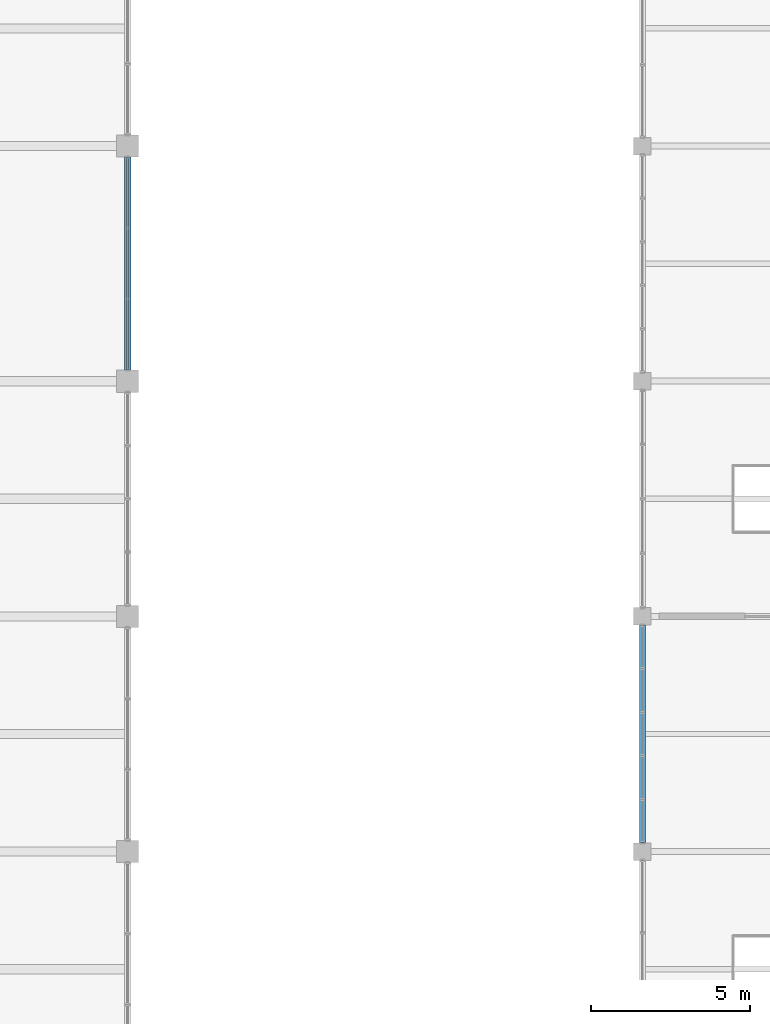
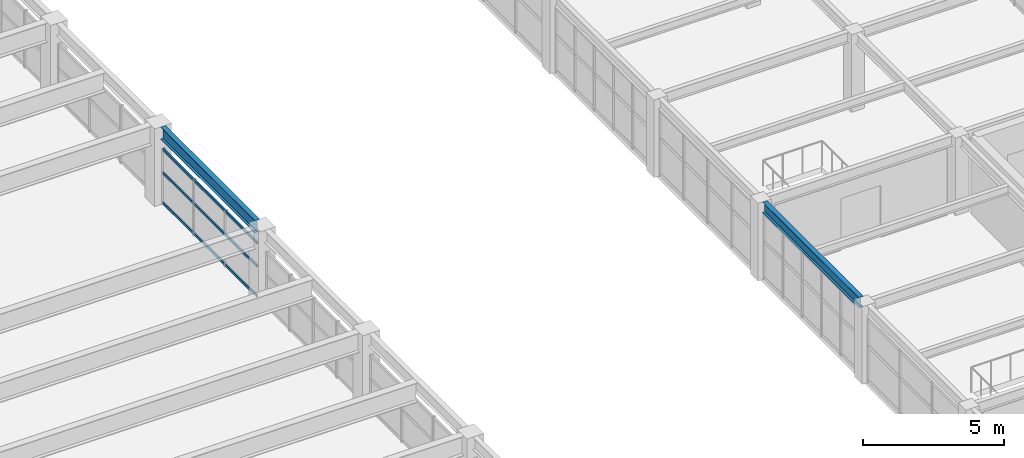
# One storey, part 36 of 121: 3 members, 2 beams, 1 element without a shape of its own.
"""IFC4 building model written with IfcOpenShell, lengths in metres."""

from ifc_helpers import new_model, si_unit, direction, frame, origin, origin_2d, place, context, subcontext, project, spatial, hollow_rectangle, i_section, extrude, material, material_profile, profile_set, type_object, element, aggregate, save


model = new_model("IFC4")

# Units and contexts
model_context = context("Model", 3, precision=1e-05, world=origin(), true_north=direction((0.0, 1.0)))
body_context = subcontext(model_context, "Body", "Model", "MODEL_VIEW")
ifc_project = project(units=[si_unit("LENGTHUNIT", "METRE"), si_unit("AREAUNIT", "SQUARE_METRE"), si_unit("VOLUMEUNIT", "CUBIC_METRE"), si_unit("PLANEANGLEUNIT", "RADIAN"), si_unit("MASSUNIT", "GRAM", prefix="KILO")], contexts=[model_context])

# Site, building, storey
site_placement = place(None, origin())
site = spatial("IfcSite", under=ifc_project, at=site_placement, CompositionType="ELEMENT")
building_placement = place(site_placement, origin())
building = spatial("IfcBuilding", under=site, at=building_placement, Name="Cimatlan Art Gallery", CompositionType="ELEMENT")
storey_placement = place(building_placement, frame((0.0, 0.0, 10.199951171875)))
storey = spatial("IfcBuildingStorey", under=building, at=storey_placement, Name="L02", CompositionType="ELEMENT", Elevation=10.199951171875)

# Beams
ifc_material_1 = material(Name="Steel ASTM A992 Grade 50", Category="steel")
ifc_material_profile_1 = material_profile(ifc_material_1, i_section(OverallWidth=0.19091796875, OverallDepth=0.45703125, WebThickness=0.009033203125, FlangeThickness=0.014404296875, at=origin_2d()), Name="W18X50")
ifc_profile_set_1 = profile_set([ifc_material_profile_1], Name="Steel ASTM A992 Grade 50")
beam_type_1 = type_object("IfcBeamType", Name="BM-STL-W18X50", PredefinedType="BEAM", material=ifc_profile_set_1)
beam_1_placement = place(storey_placement, frame((115.39990234375, 46.375, 3.1416015625), z_axis=(0.0, 1.0, 0.0), x_axis=(-1.0, 0.0, 0.0)))
element("IfcBeam", 1, at=beam_1_placement, inside=storey, type_object=beam_type_1, Name="BM-Y-L02-14-06", PredefinedType="BEAM", context=body_context, shape_type="SweptSolid", body=[
    extrude(i_section(OverallWidth=0.19091796875, OverallDepth=0.45703125, WebThickness=0.009033203125, FlangeThickness=0.014404296875, at=origin_2d()), origin(), (0.0, 0.0, 1.0), 6.85009765625),
])
ifc_material_profile_2 = material_profile(ifc_material_1, i_section(OverallWidth=0.2099609375, OverallDepth=0.532958984375, WebThickness=0.01025390625, FlangeThickness=0.015625, at=origin_2d()), Name="W21X62")
ifc_profile_set_2 = profile_set([ifc_material_profile_2], Name="Steel ASTM A992 Grade 50")
beam_type_2 = type_object("IfcBeamType", Name="BM-STL-W21X62", PredefinedType="BEAM", material=ifc_profile_set_2)
beam_2_placement = place(storey_placement, frame((99.199951171875, 61.25, 3.103515625), z_axis=(0.0, 1.0, 0.0), x_axis=(-1.0, 0.0, 0.0)))
element("IfcBeam", 2, at=beam_2_placement, inside=storey, type_object=beam_type_2, Name="BM-Y-L02-12-08", PredefinedType="BEAM", context=body_context, shape_type="SweptSolid", body=[
    extrude(i_section(OverallWidth=0.2099609375, OverallDepth=0.532958984375, WebThickness=0.01025390625, FlangeThickness=0.015625, at=origin_2d()), origin(), (0.0, 0.0, 1.0), 6.699951171875),
])

# Curtain wall, members
ifc_material_2 = material(Name="Anodised bronze unitised curtain wall")
curtain_wall_type = type_object("IfcCurtainWallType", Name="CW-V-06692X02434-B3", PredefinedType="NOTDEFINED", material=ifc_material_2)
curtain_wall_placement = place(storey_placement, origin())
curtain_wall = element("IfcCurtainWall", 3, at=curtain_wall_placement, inside=storey, type_object=curtain_wall_type, Name="CW-L02-11-08-E", PredefinedType="NOTDEFINED")
ifc_material_3 = material(Name="Anodised bronze aluminium 6063-T6", Category="aluminium")
ifc_material_profile_3 = material_profile(ifc_material_3, hollow_rectangle(XDim=0.06005859375, YDim=0.110107421875, WallThickness=0.00341796875, at=origin_2d()), Name="ALU60X110X3")
ifc_profile_set_3 = profile_set([ifc_material_profile_3], Name="Anodised bronze aluminium 6063-T6")
member_type = type_object("IfcMemberType", Name="CW-TRN-110", PredefinedType="USERDEFINED", material=ifc_profile_set_3)
member_1_placement = place(storey_placement, frame((99.199951171875, 67.946044921875, 0.06005859375), z_axis=(0.0, -1.0, 0.0), x_axis=(1.0, 0.0, 0.0)))
member_1 = element("IfcMember", 4, at=member_1_placement, type_object=member_type, Name="CW-L02-11-08-E-T1", ObjectType="TRANSOM", PredefinedType="USERDEFINED", context=body_context, shape_type="SweptSolid", body=[
    extrude(hollow_rectangle(XDim=0.06005859375, YDim=0.110107421875, WallThickness=0.00341796875, at=origin_2d()), origin(), (0.0, 0.0, 1.0), 6.692138671875),
])
member_2_placement = place(storey_placement, frame((99.199951171875, 67.946044921875, 1.363037109375), z_axis=(0.0, -1.0, 0.0), x_axis=(1.0, 0.0, 0.0)))
member_2 = element("IfcMember", 5, at=member_2_placement, type_object=member_type, Name="CW-L02-11-08-E-T2", ObjectType="TRANSOM", PredefinedType="USERDEFINED", context=body_context, shape_type="SweptSolid", body=[
    extrude(hollow_rectangle(XDim=0.06005859375, YDim=0.110107421875, WallThickness=0.00341796875, at=origin_2d()), origin(), (0.0, 0.0, 1.0), 6.692138671875),
])
member_3_placement = place(storey_placement, frame((99.199951171875, 67.946044921875, 2.3740234375), z_axis=(0.0, -1.0, 0.0), x_axis=(1.0, 0.0, 0.0)))
member_3 = element("IfcMember", 6, at=member_3_placement, type_object=member_type, Name="CW-L02-11-08-E-T3", ObjectType="TRANSOM", PredefinedType="USERDEFINED", context=body_context, shape_type="SweptSolid", body=[
    extrude(hollow_rectangle(XDim=0.06005859375, YDim=0.110107421875, WallThickness=0.00341796875, at=origin_2d()), origin(), (0.0, 0.0, 1.0), 6.692138671875),
])
aggregate(curtain_wall, [member_1, member_2, member_3])

save(model, "model.ifc")
